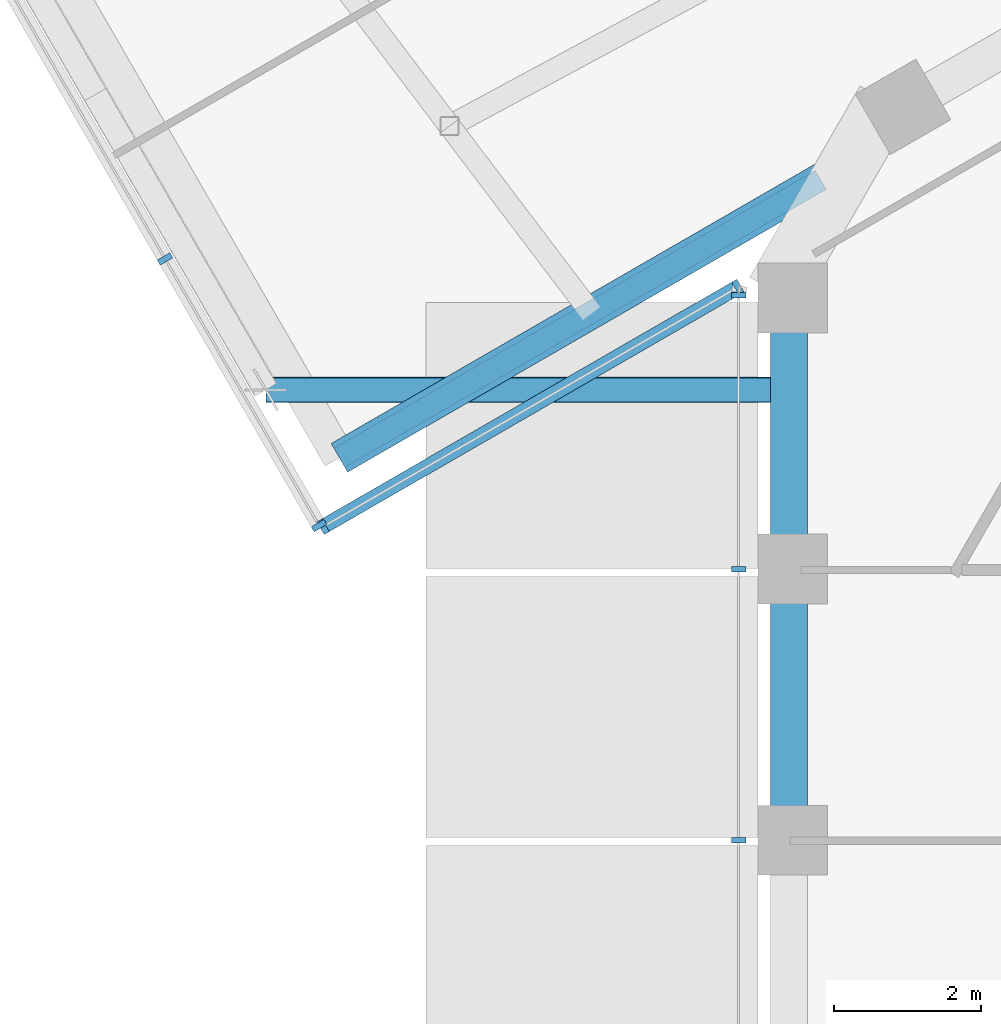
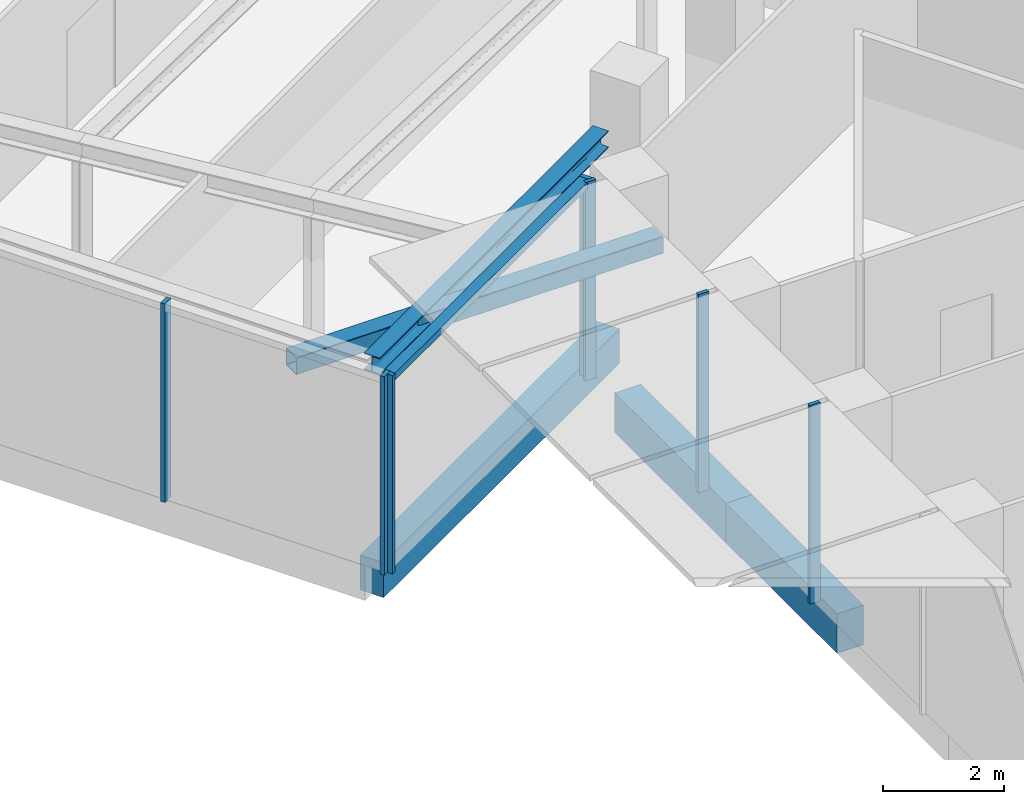
# One storey, part 3 of 27: 9 members, 4 beams, 3 elements without a shape of their own.
"""IFC4 building model written with IfcOpenShell, lengths in metres."""

from ifc_helpers import new_model, si_unit, direction, frame, origin, origin_2d, place, context, subcontext, project, spatial, rectangle, hollow_rectangle, i_section, extrude, material, layer, layer_set, material_profile, profile_set, type_object, element, aggregate, save


model = new_model("IFC4")

# Units and contexts
model_context = context("Model", 3, precision=1e-05, world=origin(), true_north=direction((0.0, 1.0)))
body_context = subcontext(model_context, "Body", "Model", "MODEL_VIEW")
ifc_project = project(units=[si_unit("LENGTHUNIT", "METRE"), si_unit("AREAUNIT", "SQUARE_METRE"), si_unit("VOLUMEUNIT", "CUBIC_METRE"), si_unit("PLANEANGLEUNIT", "RADIAN"), si_unit("MASSUNIT", "GRAM", prefix="KILO")], contexts=[model_context])

# Site, building, storey
site_placement = place(None, origin())
site = spatial("IfcSite", under=ifc_project, at=site_placement, CompositionType="ELEMENT")
building_placement = place(site_placement, origin())
building = spatial("IfcBuilding", under=site, at=building_placement, Name="Ayvan Gate Tower", CompositionType="ELEMENT")
storey_placement = place(building_placement, frame((0.0, 0.0, 194.699951171875)))
storey = spatial("IfcBuildingStorey", under=building, at=storey_placement, Name="L52", CompositionType="ELEMENT", Elevation=194.699951171875)

# Beams
ifc_material_1 = material(Name="Concrete C40/50", Category="concrete")
ifc_material_profile_1 = material_profile(ifc_material_1, rectangle(XDim=0.449951171875, YDim=0.699951171875, at=origin_2d()), Name="RC 450x700")
ifc_profile_set_1 = profile_set([ifc_material_profile_1], Name="Concrete C40/50")
beam_type_1 = type_object("IfcBeamType", Name="Sky bar edge beam RC 450x700 C40/50", PredefinedType="BEAM", material=ifc_profile_set_1)
beam_1_placement = place(storey_placement, frame((-16.83984375, 10.93115234375, -0.75), z_axis=(-0.866027806024, -0.499995839176, 0.0), x_axis=(0.499995839176, -0.866027806024, 0.0)))
element("IfcBeam", 1, at=beam_1_placement, inside=storey, type_object=beam_type_1, Name="EB-B4-L52-1", PredefinedType="BEAM", context=body_context, shape_type="SweptSolid", body=[
    extrude(rectangle(XDim=0.449951171875, YDim=0.699951171875, at=origin_2d()), origin(), (0.0, 0.0, 1.0), 7.78173828125),
])
ifc_material_2 = material(Name="Steel S460ML", Category="steel")
ifc_material_profile_2 = material_profile(ifc_material_2, i_section(OverallWidth=0.300048828125, OverallDepth=0.340087890625, WebThickness=0.011962890625, FlangeThickness=0.021484375, FilletRadius=0.027099609375, at=origin_2d()), Name="HE 340 B")
ifc_profile_set_2 = profile_set([ifc_material_profile_2], Name="Steel S460ML")
beam_type_2 = type_object("IfcBeamType", Name="Sky bar roof edge beam B4 HE 340 B", PredefinedType="BEAM", material=ifc_profile_set_2)
beam_2_placement = place(storey_placement, frame((-17.037841796875, 10.81689453125, 3.530029296875), z_axis=(-0.866024644664, -0.500001314833, 0.0), x_axis=(0.500001314833, -0.866024644664, 0.0)))
element("IfcBeam", 2, at=beam_2_placement, inside=storey, type_object=beam_type_2, Name="RE-B4-1-1", PredefinedType="BEAM", context=body_context, shape_type="SweptSolid", body=[
    extrude(i_section(OverallWidth=0.300048828125, OverallDepth=0.340087890625, WebThickness=0.011962890625, FlangeThickness=0.021484375, FilletRadius=0.027099609375, at=origin_2d()), origin(), (0.0, 0.0, 1.0), 7.55322265625),
])

# Member
ifc_material_3 = material(Name="Steel S460NH", Category="steel")
ifc_material_profile_3 = material_profile(ifc_material_3, hollow_rectangle(XDim=0.35009765625, YDim=0.35009765625, WallThickness=0.01416015625, InnerFilletRadius=0.01416015625, OuterFilletRadius=0.021240234375, at=origin_2d()), Name="RHS 350x350x14.2")
ifc_profile_set_3 = profile_set([ifc_material_profile_3], Name="Steel S460NH")
member_type_1 = type_object("IfcMemberType", Name="Sky bar truss brace B4 RHS 350x350x14.2", PredefinedType="BRACE", material=ifc_profile_set_3)
member_1_placement = place(storey_placement, frame((-17.593017578125, 7.963623046875, 3.375), z_axis=(-1.0, 0.0, 0.0), x_axis=(0.0, -1.0, 0.0)))
element("IfcMember", 3, at=member_1_placement, inside=storey, type_object=member_type_1, Name="SBX4-A-TC-1", PredefinedType="CHORD", context=body_context, shape_type="SweptSolid", body=[
    extrude(hollow_rectangle(XDim=0.35009765625, YDim=0.35009765625, WallThickness=0.01416015625, InnerFilletRadius=0.01416015625, OuterFilletRadius=0.021240234375, at=origin_2d()), origin(), (0.0, 0.0, 1.0), 6.98681640625),
])

# Beams
ifc_material_profile_4 = material_profile(ifc_material_1, rectangle(XDim=0.5, YDim=0.800048828125, at=origin_2d()), Name="RC 500x800")
ifc_profile_set_4 = profile_set([ifc_material_profile_4], Name="Concrete C40/50")
beam_type_3 = type_object("IfcBeamType", Name="Spandrel beam RC 500x800 C40/50", PredefinedType="BEAM", material=ifc_profile_set_4)
beam_3_placement = place(storey_placement, frame((-17.46728515625, 9.18310546875, -0.800048828125), z_axis=(0.0, -1.0, 0.0), x_axis=(1.0, 0.0, 0.0)))
element("IfcBeam", 4, at=beam_3_placement, inside=storey, type_object=beam_type_3, Name="SB-L52-19", PredefinedType="BEAM", context=body_context, shape_type="SweptSolid", body=[
    extrude(rectangle(XDim=0.5, YDim=0.800048828125, at=origin_2d()), origin(), (0.0, 0.0, 1.0), 3.673095703125),
])
beam_4_placement = place(storey_placement, frame((-17.46728515625, 5.510009765625, -0.800048828125), z_axis=(0.0, -1.0, 0.0), x_axis=(1.0, 0.0, 0.0)))
element("IfcBeam", 5, at=beam_4_placement, inside=storey, type_object=beam_type_3, Name="SB-L52-20", PredefinedType="BEAM", context=body_context, shape_type="SweptSolid", body=[
    extrude(rectangle(XDim=0.5, YDim=0.800048828125, at=origin_2d()), origin(), (0.0, 0.0, 1.0), 3.67333984375),
])

# Curtain wall, members
ifc_material_4 = material(Name="Bronze anodised aluminium", Category="aluminium")
ifc_layer_1 = layer(ifc_material_4, 0.199951171875)
ifc_layer_set_1 = layer_set([ifc_layer_1], Name="Bronze anodised aluminium")
curtain_wall_type_1 = type_object("IfcCurtainWallType", Name="Stick curtain wall CW-2", PredefinedType="NOTDEFINED", material=ifc_layer_set_1)
curtain_wall_1_placement = place(storey_placement, origin())
curtain_wall_1 = element("IfcCurtainWall", 6, at=curtain_wall_1_placement, inside=storey, type_object=curtain_wall_type_1, Name="Stick curtain wall CW-2 L52", PredefinedType="NOTDEFINED")
ifc_material_profile_5 = material_profile(ifc_material_4, rectangle(XDim=0.199951171875, YDim=0.070068359375, at=origin_2d()), Name="Stick curtain wall CW-2 mullion 200 x 70")
ifc_profile_set_5 = profile_set([ifc_material_profile_5], Name="Bronze anodised aluminium")
member_type_2 = type_object("IfcMemberType", Name="Stick curtain wall CW-2 mullion 200 x 70", PredefinedType="MULLION", material=ifc_profile_set_5)
member_2_placement = place(storey_placement, frame((-18.1533203125, 9.248291015625, 0.0), z_axis=(0.0, 0.0, 1.0), x_axis=(-1.0, 0.0, 0.0)))
member_2 = element("IfcMember", 7, at=member_2_placement, type_object=member_type_2, Name="CW-2 mullion 1", PredefinedType="MULLION", context=body_context, shape_type="SweptSolid", body=[
    extrude(rectangle(XDim=0.199951171875, YDim=0.070068359375, at=origin_2d()), origin(), (0.0, 0.0, 1.0), 4.0),
])
member_3_placement = place(storey_placement, frame((-18.1533203125, 5.5263671875, 0.0), z_axis=(0.0, 0.0, 1.0), x_axis=(-1.0, 0.0, 0.0)))
member_3 = element("IfcMember", 8, at=member_3_placement, type_object=member_type_2, Name="CW-2 mullion 2", PredefinedType="MULLION", context=body_context, shape_type="SweptSolid", body=[
    extrude(rectangle(XDim=0.199951171875, YDim=0.070068359375, at=origin_2d()), origin(), (0.0, 0.0, 1.0), 4.0),
])
member_4_placement = place(storey_placement, frame((-18.1533203125, 1.84228515625, 0.0), z_axis=(0.0, 0.0, 1.0), x_axis=(-1.0, 0.0, 0.0)))
member_4 = element("IfcMember", 9, at=member_4_placement, type_object=member_type_2, Name="CW-2 mullion 3", PredefinedType="MULLION", context=body_context, shape_type="SweptSolid", body=[
    extrude(rectangle(XDim=0.199951171875, YDim=0.070068359375, at=origin_2d()), origin(), (0.0, 0.0, 1.0), 4.0),
])
aggregate(curtain_wall_1, [member_2, member_3, member_4])

ifc_layer_2 = layer(ifc_material_4, 0.199951171875)
ifc_layer_set_2 = layer_set([ifc_layer_2], Name="Bronze anodised aluminium")
curtain_wall_type_2 = type_object("IfcCurtainWallType", Name="Stick curtain wall CW-4", PredefinedType="NOTDEFINED", material=ifc_layer_set_2)
curtain_wall_2_placement = place(storey_placement, origin())
curtain_wall_2 = element("IfcCurtainWall", 10, at=curtain_wall_2_placement, inside=storey, type_object=curtain_wall_type_2, Name="Stick curtain wall CW-4 L52", PredefinedType="NOTDEFINED")
ifc_material_profile_6 = material_profile(ifc_material_4, rectangle(XDim=0.199951171875, YDim=0.080078125, at=origin_2d()), Name="Stick curtain wall CW-4 mullion 200 x 80")
ifc_profile_set_6 = profile_set([ifc_material_profile_6], Name="Bronze anodised aluminium")
member_type_3 = type_object("IfcMemberType", Name="Stick curtain wall CW-4 mullion 200 x 80", PredefinedType="MULLION", material=ifc_profile_set_6)
member_5_placement = place(storey_placement, frame((-25.94775390625, 9.742919921875, 0.0), z_axis=(0.0, 0.0, 1.0), x_axis=(-0.866025403784, -0.5, 0.0)))
member_5 = element("IfcMember", 11, at=member_5_placement, type_object=member_type_3, Name="CW-4 mullion 4", PredefinedType="MULLION", context=body_context, shape_type="SweptSolid", body=[
    extrude(rectangle(XDim=0.199951171875, YDim=0.080078125, at=origin_2d()), origin(), (0.0, 0.0, 1.0), 4.0),
])
member_6_placement = place(storey_placement, frame((-23.855224609375, 6.11865234375, 0.0), z_axis=(0.0, 0.0, 1.0), x_axis=(-0.866025403784, -0.5, 0.0)))
member_6 = element("IfcMember", 12, at=member_6_placement, type_object=member_type_3, Name="CW-4 mullion 5", PredefinedType="MULLION", context=body_context, shape_type="SweptSolid", body=[
    extrude(rectangle(XDim=0.199951171875, YDim=0.080078125, at=origin_2d()), origin(), (0.0, 0.0, 1.0), 4.0),
])
aggregate(curtain_wall_2, [member_5, member_6])

curtain_wall_3_placement = place(storey_placement, origin())
curtain_wall_3 = element("IfcCurtainWall", 13, at=curtain_wall_3_placement, inside=storey, type_object=curtain_wall_type_2, Name="Stick curtain wall CW-4 L52", PredefinedType="NOTDEFINED")
member_7_placement = place(storey_placement, frame((-23.80078125, 6.10400390625, 0.0), z_axis=(0.0, 0.0, 1.0), x_axis=(0.5, -0.866025403784, 0.0)))
member_7 = element("IfcMember", 14, at=member_7_placement, type_object=member_type_3, Name="CW-4 mullion 1", PredefinedType="MULLION", context=body_context, shape_type="SweptSolid", body=[
    extrude(rectangle(XDim=0.199951171875, YDim=0.080078125, at=origin_2d()), origin(), (0.0, 0.0, 1.0), 4.0),
])
member_8_placement = place(storey_placement, frame((-18.162353515625, 9.359130859375, 0.0), z_axis=(0.0, 0.0, 1.0), x_axis=(0.5, -0.866025403784, 0.0)))
member_8 = element("IfcMember", 15, at=member_8_placement, type_object=member_type_3, Name="CW-4 mullion 2", PredefinedType="MULLION", context=body_context, shape_type="SweptSolid", body=[
    extrude(rectangle(XDim=0.199951171875, YDim=0.080078125, at=origin_2d()), origin(), (0.0, 0.0, 1.0), 4.0),
])
ifc_material_profile_7 = material_profile(ifc_material_4, rectangle(XDim=0.199951171875, YDim=0.139892578125, at=origin_2d()), Name="Stick curtain wall CW-4 transom 200 x 140")
ifc_profile_set_7 = profile_set([ifc_material_profile_7], Name="Bronze anodised aluminium")
member_type_4 = type_object("IfcMemberType", Name="Stick curtain wall CW-4 transom 200 x 140", PredefinedType="USERDEFINED", material=ifc_profile_set_7)
member_9_placement = place(storey_placement, frame((-23.80078125, 6.10400390625, 3.929931640625), z_axis=(0.866040089743, 0.49997456231, 0.0), x_axis=(-0.49997456231, 0.866040089743, 0.0)))
member_9 = element("IfcMember", 16, at=member_9_placement, type_object=member_type_4, Name="CW-4 transom 1", ObjectType="TRANSOM", PredefinedType="USERDEFINED", context=body_context, shape_type="SweptSolid", body=[
    extrude(rectangle(XDim=0.199951171875, YDim=0.139892578125, at=origin_2d()), origin(), (0.0, 0.0, 1.0), 6.510498046875),
])
aggregate(curtain_wall_3, [member_7, member_8, member_9])

save(model, "model.ifc")
